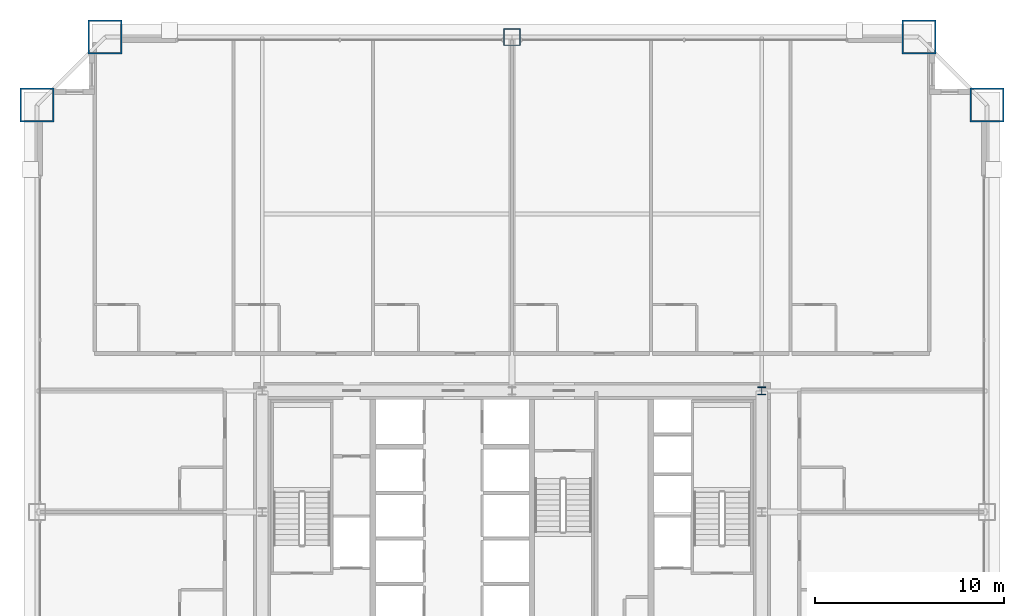
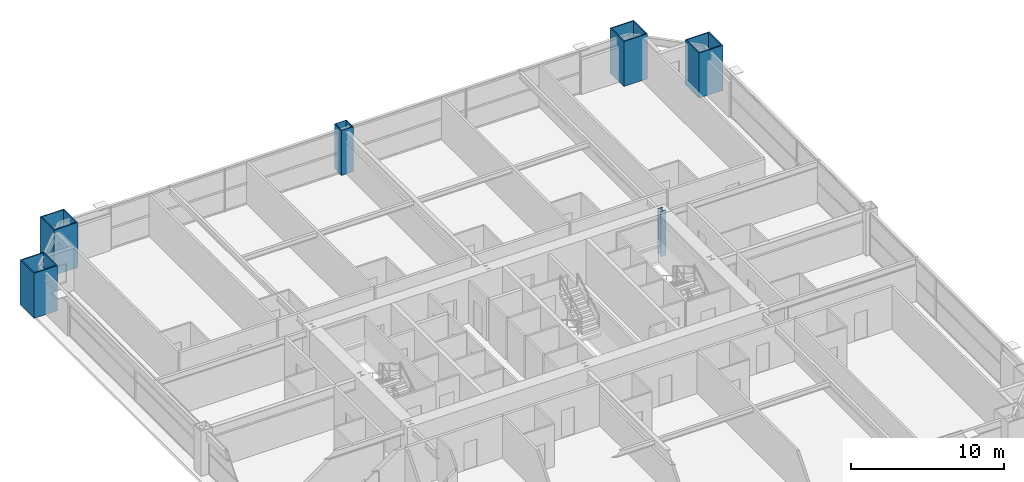
# One storey, part 2 of 45: 6 columns.
"""IFC4 building model written with IfcOpenShell, lengths in metres."""

from ifc_helpers import new_model, si_unit, direction, frame, origin, origin_2d, place, context, subcontext, project, spatial, hollow_rectangle, i_section, extrude, source, transform, mapped, material, material_profile, profile_set, type_object, element, save


model = new_model("IFC4")

# Units and contexts
model_context = context("Model", 3, precision=1e-05, world=origin(), true_north=direction((0.0, 1.0)))
body_context = subcontext(model_context, "Body", "Model", "MODEL_VIEW")
ifc_project = project(units=[si_unit("LENGTHUNIT", "METRE"), si_unit("AREAUNIT", "SQUARE_METRE"), si_unit("VOLUMEUNIT", "CUBIC_METRE"), si_unit("PLANEANGLEUNIT", "RADIAN"), si_unit("MASSUNIT", "GRAM", prefix="KILO"), si_unit("THERMODYNAMICTEMPERATUREUNIT", "KELVIN"), si_unit("POWERUNIT", "WATT")], contexts=[model_context])

# Site, building, storey
site_placement = place(None, origin())
site = spatial("IfcSite", under=ifc_project, at=site_placement, CompositionType="ELEMENT")
building_placement = place(site_placement, origin())
building = spatial("IfcBuilding", under=site, at=building_placement, Name="Yuzanri Waterfront Tower", CompositionType="ELEMENT")
storey_placement = place(building_placement, frame((0.0, 0.0, 34.199951171875)))
storey = spatial("IfcBuildingStorey", under=building, at=storey_placement, Name="L08", CompositionType="ELEMENT", Elevation=34.199951171875)

# Columns
ifc_material_1 = material(Name="Steel Q355B", Category="steel")
ifc_material_profile_1 = material_profile(ifc_material_1, i_section(OverallWidth=0.406982421875, OverallDepth=0.427978515625, WebThickness=0.02001953125, FlangeThickness=0.034912109375, at=origin_2d()), Name="HW 428x407x20x35")
ifc_profile_set_1 = profile_set([ifc_material_profile_1], Name="Steel Q355B")
column_type_1 = type_object("IfcColumnType", Name="Core Post Q355B HW 428x407x20x35", PredefinedType="COLUMN", material=ifc_profile_set_1)
shared_shape_1 = source(origin(), body_context, "Body", "SweptSolid", [
    extrude(i_section(OverallWidth=0.406982421875, OverallDepth=0.427978515625, WebThickness=0.02001953125, FlangeThickness=0.034912109375, at=origin_2d()), origin(), (0.0, 0.0, 1.0), 3.60009765625),
])
column_1_placement = place(storey_placement, frame((50.199951171875, 32.199951171875, 0.0), z_axis=(0.0, 0.0, 1.0), x_axis=(1.0, 0.0, 0.0)))
element("IfcColumn", 1, at=column_1_placement, inside=storey, type_object=column_type_1, Name="L08 Core Boundary Column CP8", PredefinedType="COLUMN", context=body_context, shape_type="MappedRepresentation", body=[
    mapped(shared_shape_1, transform((0.0, 0.0, 0.0), scale=1.0)),
])
ifc_material_2 = material(Name="Steel Q420GJC", Category="steel")
ifc_material_profile_2 = material_profile(ifc_material_2, hollow_rectangle(XDim=1.800048828125, YDim=1.800048828125, WallThickness=0.080078125, at=origin_2d()), Name="RHS 1800x1800x80")
ifc_profile_set_2 = profile_set([ifc_material_profile_2], Name="Steel Q420GJC")
column_type_2 = type_object("IfcColumnType", Name="Mega Column Q420GJC RHS 1800x1800x80", PredefinedType="COLUMN", material=ifc_profile_set_2)
shared_shape_2 = source(origin(), body_context, "Body", "SweptSolid", [
    extrude(hollow_rectangle(XDim=1.800048828125, YDim=1.800048828125, WallThickness=0.080078125, at=origin_2d()), origin(), (0.0, 0.0, 1.0), 3.60009765625),
])
for number, where, z_axis, x_axis, name in (
    (2, (15.5, 50.89990234375, 0.0), (0.0, 0.0, 1.0), (1.0, 0.0, 0.0), "L08 Perimeter Mega Column N1"),
    (3, (58.5, 50.89990234375, 0.0), (0.0, 0.0, 1.0), (1.0, 0.0, 0.0), "L08 Perimeter Mega Column N3"),
    (4, (11.89990234375, 47.300048828125, 0.0), (0.0, 0.0, 1.0), (1.0, 0.0, 0.0), "L08 Perimeter Mega Column W3"),
    (5, (62.10009765625, 47.300048828125, 0.0), (0.0, 0.0, 1.0), (1.0, 0.0, 0.0), "L08 Perimeter Mega Column E3"),
):
    element("IfcColumn", number, at=place(storey_placement, frame(where, z_axis=z_axis, x_axis=x_axis)), inside=storey, type_object=column_type_2, Name=name, PredefinedType="COLUMN", context=body_context, shape_type="MappedRepresentation", body=[
        mapped(shared_shape_2, transform((0.0, 0.0, 0.0), scale=1.0)),
    ])
ifc_material_3 = material(Name="Steel Q390GJC", Category="steel")
ifc_material_profile_3 = material_profile(ifc_material_3, hollow_rectangle(XDim=0.89990234375, YDim=0.89990234375, WallThickness=0.0419921875, at=origin_2d()), Name="RHS 900x900x42")
ifc_profile_set_3 = profile_set([ifc_material_profile_3], Name="Steel Q390GJC")
column_type_3 = type_object("IfcColumnType", Name="Frame Column Q390GJC RHS 900x900x42", PredefinedType="COLUMN", material=ifc_profile_set_3)
shared_shape_3 = source(origin(), body_context, "Body", "SweptSolid", [
    extrude(hollow_rectangle(XDim=0.89990234375, YDim=0.89990234375, WallThickness=0.0419921875, at=origin_2d()), origin(), (0.0, 0.0, 1.0), 3.60009765625),
])
column_2_placement = place(storey_placement, frame((37.0, 50.89990234375, 0.0), z_axis=(0.0, 0.0, 1.0), x_axis=(1.0, 0.0, 0.0)))
element("IfcColumn", 6, at=column_2_placement, inside=storey, type_object=column_type_3, Name="L08 Perimeter Frame Column N2", PredefinedType="COLUMN", context=body_context, shape_type="MappedRepresentation", body=[
    mapped(shared_shape_3, transform((0.0, 0.0, 0.0), scale=1.0)),
])

save(model, "model.ifc")
